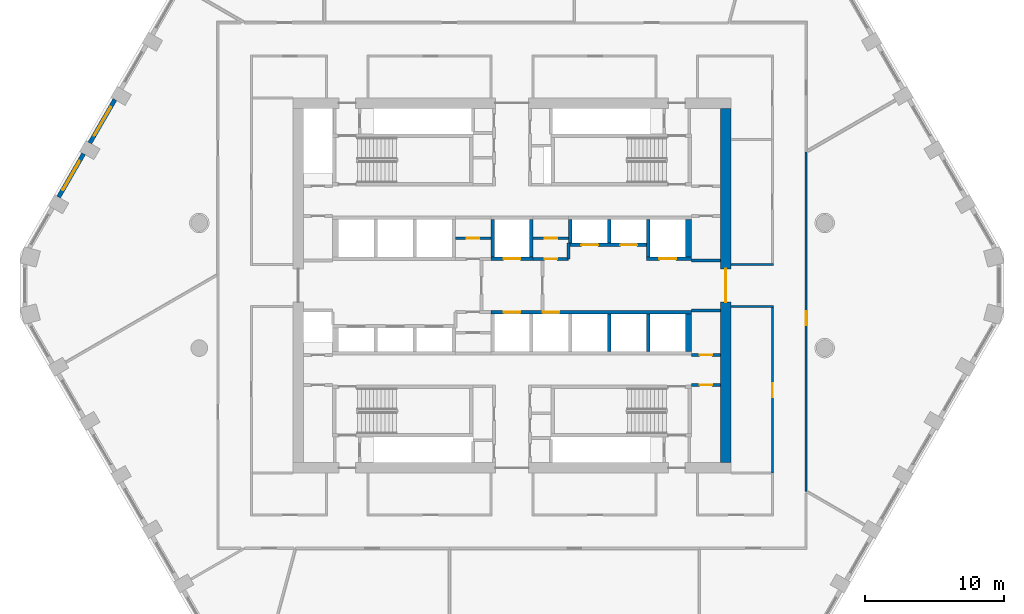
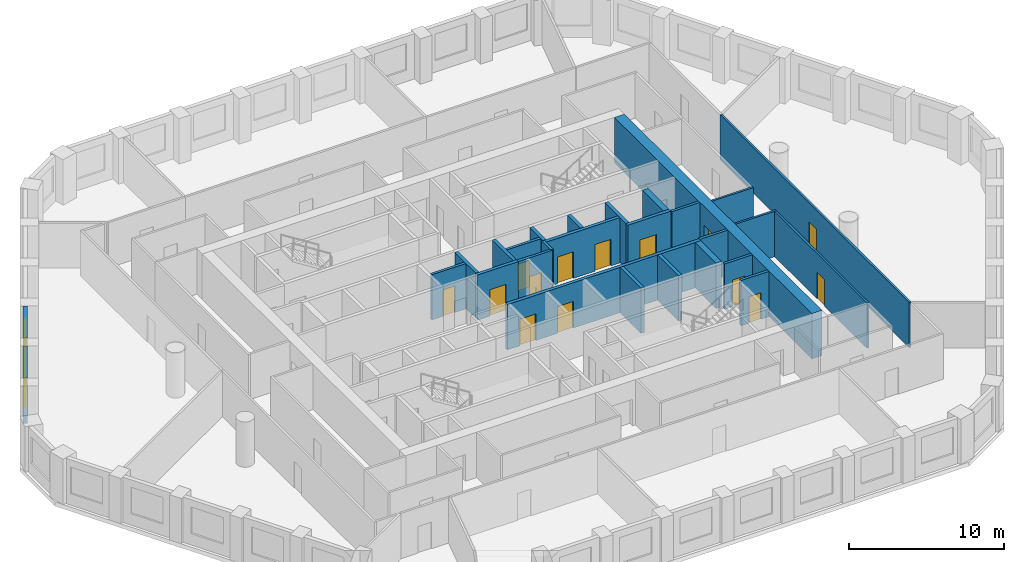
# One storey, part 5 of 14: 28 walls, 14 doors, 2 windows, 16 openings.
"""IFC4 building model written with IfcOpenShell, lengths in metres."""

from ifc_helpers import new_model, si_unit, direction, frame, frame_2d, origin, place, context, subcontext, project, spatial, polyline, rectangle, outline, extrude, material, layer, layer_set, type_object, element, fill, save


model = new_model("IFC4")

# Units and contexts
model_context = context("Model", 3, precision=1e-05, world=origin(), true_north=direction((0.0, 1.0)))
body_context = subcontext(model_context, "Body", "Model", "MODEL_VIEW")
ifc_project = project(units=[si_unit("LENGTHUNIT", "METRE"), si_unit("AREAUNIT", "SQUARE_METRE"), si_unit("VOLUMEUNIT", "CUBIC_METRE"), si_unit("PLANEANGLEUNIT", "RADIAN"), si_unit("MASSUNIT", "GRAM", prefix="KILO")], contexts=[model_context])

# Site, building, storey
site_placement = place(None, origin())
site = spatial("IfcSite", under=ifc_project, at=site_placement, CompositionType="ELEMENT")
building_placement = place(site_placement, origin())
building = spatial("IfcBuilding", under=site, at=building_placement, Name="Dhurran Vertical Campus", CompositionType="ELEMENT")
storey_placement = place(building_placement, frame((0.0, 0.0, 140.39990234375)))
storey = spatial("IfcBuildingStorey", under=building, at=storey_placement, Name="L34", CompositionType="ELEMENT", Elevation=140.39990234375)

# Wall, opening, window
ifc_material_1 = material(Name="Precast concrete C50/60", Category="concrete")
ifc_layer_1 = layer(ifc_material_1, 0.300048828125)
ifc_layer_set_1 = layer_set([ifc_layer_1], Name="Precast concrete C50/60")
wall_type_1 = type_object("IfcWallType", Name="Precast spandrel wall 300", PredefinedType="SOLIDWALL", material=ifc_layer_set_1)
wall_1_placement = place(storey_placement, frame((-28.5693359375, 13.376220703125, 0.0), z_axis=(0.0, 0.0, 1.0), x_axis=(-0.500027802648, -0.866009351323, 0.0)))
wall_1 = element("IfcWall", 1, at=wall_1_placement, inside=storey, type_object=wall_type_1, Name="EW1 L34.35", PredefinedType="SOLIDWALL", context=body_context, shape_type="SweptSolid", body=[
    extrude(rectangle(XDim=3.598876953125, YDim=0.300048828125, at=frame_2d((1.79931640625, 0.0))), origin(), (0.0, 0.0, 1.0), 3.5751953125),
])
opening_1_placement = place(wall_1_placement, frame((0.599609375, 0.0, 0.89990234375)))
opening_1 = element("IfcOpeningElement", 2, at=opening_1_placement, cuts=wall_1, Name="Opening WT1", PredefinedType="OPENING", context=body_context, shape_type="SweptSolid", body=[
    extrude(rectangle(XDim=2.39990234375, YDim=2.10009765625, at=frame_2d((1.199951171875, 1.050048828125))), frame((0.0, 0.159912109375, 0.0), z_axis=(0.0, -1.0, 0.0), x_axis=(1.0, 0.0, 0.0)), (0.0, 0.0, 1.0), 0.320068359375),
])
ifc_material_2 = material(Name="Aluminium frame with solar-control glass", Category="aluminium")
window_type = type_object("IfcWindowType", Name="Punched window 2400 x 2100", PartitioningType="SINGLE_PANEL", PredefinedType="WINDOW", material=ifc_material_2)
window_1_placement = place(opening_1_placement, origin())
window_1 = element("IfcWindow", 3, at=window_1_placement, inside=storey, type_object=window_type, Name="WT1 L34.35", OverallHeight=2.10009765625, OverallWidth=2.39990234375, PartitioningType="SINGLE_PANEL", PredefinedType="WINDOW", context=body_context, shape_type="SweptSolid", body=[
    extrude(rectangle(XDim=2.39990234375, YDim=2.10009765625, at=frame_2d((1.199951171875, 1.050048828125))), frame((0.0, 0.030029296875, 0.0), z_axis=(0.0, -1.0, 0.0), x_axis=(1.0, 0.0, 0.0)), (0.0, 0.0, 1.0), 0.06005859375),
])
fill(opening_1, window_1)

wall_2_placement = place(storey_placement, frame((-30.8193359375, 9.47900390625, 0.0), z_axis=(0.0, 0.0, 1.0), x_axis=(-0.500027802648, -0.866009351323, 0.0)))
wall_2 = element("IfcWall", 4, at=wall_2_placement, inside=storey, type_object=wall_type_1, Name="EW1 L34.36", PredefinedType="SOLIDWALL", context=body_context, shape_type="SweptSolid", body=[
    extrude(rectangle(XDim=3.598876953125, YDim=0.300048828125, at=frame_2d((1.79931640625, 0.0))), origin(), (0.0, 0.0, 1.0), 3.5751953125),
])
opening_2_placement = place(wall_2_placement, frame((0.599609375, 0.0, 0.89990234375)))
opening_2 = element("IfcOpeningElement", 5, at=opening_2_placement, cuts=wall_2, Name="Opening WT1", PredefinedType="OPENING", context=body_context, shape_type="SweptSolid", body=[
    extrude(rectangle(XDim=2.39990234375, YDim=2.10009765625, at=frame_2d((1.199951171875, 1.050048828125))), frame((0.0, 0.159912109375, 0.0), z_axis=(0.0, -1.0, 0.0), x_axis=(1.0, 0.0, 0.0)), (0.0, 0.0, 1.0), 0.320068359375),
])
window_2_placement = place(opening_2_placement, origin())
window_2 = element("IfcWindow", 6, at=window_2_placement, inside=storey, type_object=window_type, Name="WT1 L34.36", OverallHeight=2.10009765625, OverallWidth=2.39990234375, PartitioningType="SINGLE_PANEL", PredefinedType="WINDOW", context=body_context, shape_type="SweptSolid", body=[
    extrude(rectangle(XDim=2.39990234375, YDim=2.10009765625, at=frame_2d((1.199951171875, 1.050048828125))), frame((0.0, 0.030029296875, 0.0), z_axis=(0.0, -1.0, 0.0), x_axis=(1.0, 0.0, 0.0)), (0.0, 0.0, 1.0), 0.06005859375),
])
fill(opening_2, window_2)

# Wall, opening, door
ifc_material_3 = material(Name="Concrete C60/75", Category="concrete")
ifc_layer_2 = layer(ifc_material_3, 0.75)
ifc_layer_set_2 = layer_set([ifc_layer_2], Name="Concrete C60/75")
wall_type_2 = type_object("IfcWallType", Name="co-CORE-WALL-C1-750", PredefinedType="SHEAR", material=ifc_layer_set_2)
wall_3_placement = place(storey_placement, frame((15.375, -12.75, 0.0), z_axis=(0.0, 0.0, 1.0), x_axis=(0.0, 1.0, 0.0)))
wall_3 = element("IfcWall", 7, at=wall_3_placement, inside=storey, type_object=wall_type_2, Name="Core wall E L34", PredefinedType="SHEAR", context=body_context, shape_type="SweptSolid", body=[
    extrude(rectangle(XDim=25.5, YDim=0.75, at=frame_2d((12.75, 0.0))), origin(), (0.0, 0.0, 1.0), 3.5751953125),
])
opening_3_placement = place(wall_3_placement, frame((11.550048828125, 0.0, 0.0)))
opening_3 = element("IfcOpeningElement", 8, at=opening_3_placement, cuts=wall_3, Name="Opening CL2", PredefinedType="OPENING", context=body_context, shape_type="SweptSolid", body=[
    extrude(rectangle(XDim=2.39990234375, YDim=2.10009765625, at=frame_2d((1.199951171875, 1.050048828125))), frame((0.0, 0.385009765625, 0.0), z_axis=(0.0, -1.0, 0.0), x_axis=(1.0, 0.0, 0.0)), (0.0, 0.0, 1.0), 0.77001953125),
])
ifc_material_4 = material(Name="Fire-rated glazed door set")
door_type_1 = type_object("IfcDoorType", Name="co-D-LOBBY 2400x2100", OperationType="DOUBLE_DOOR_DOUBLE_SWING", PredefinedType="DOOR", material=ifc_material_4)
door_1_placement = place(opening_3_placement, origin())
door_1 = element("IfcDoor", 9, at=door_1_placement, inside=storey, type_object=door_type_1, Name="Lift lobby door E L34", OperationType="DOUBLE_DOOR_DOUBLE_SWING", OverallHeight=2.10009765625, OverallWidth=2.39990234375, PredefinedType="DOOR", context=body_context, shape_type="SweptSolid", body=[
    extrude(rectangle(XDim=2.39990234375, YDim=2.10009765625, at=frame_2d((1.199951171875, 1.050048828125))), frame((0.0, 0.02490234375, 0.0), z_axis=(0.0, -1.0, 0.0), x_axis=(1.0, 0.0, 0.0)), (0.0, 0.0, 1.0), 0.050048828125),
])
fill(opening_3, door_1)

# Wall
ifc_material_5 = material(Name="Fire-rated masonry blockwork", Category="masonry")
ifc_layer_3 = layer(ifc_material_5, 0.199951171875)
ifc_layer_set_3 = layer_set([ifc_layer_3], Name="Fire-rated masonry blockwork")
wall_type_3 = type_object("IfcWallType", Name="co-FIRE-PARTITION-200", PredefinedType="PARTITIONING", material=ifc_layer_set_3)
wall_4_placement = place(storey_placement, frame((12.89990234375, 1.800048828125, 0.0), z_axis=(0.0, 0.0, 1.0), x_axis=(1.0, 0.0, 0.0)))
element("IfcWall", 10, at=wall_4_placement, inside=storey, type_object=wall_type_3, Name="Core partition es-NE-l L34", PredefinedType="PARTITIONING", context=body_context, shape_type="SweptSolid", body=[
    extrude(rectangle(XDim=2.10009765625, YDim=0.199951171875, at=frame_2d((1.050048828125, 0.0))), origin(), (0.0, 0.0, 1.0), 3.5751953125),
])

# Wall, opening, door
wall_5_placement = place(storey_placement, frame((12.89990234375, -7.14990234375, 0.0), z_axis=(0.0, 0.0, 1.0), x_axis=(1.0, 0.0, 0.0)))
wall_5 = element("IfcWall", 11, at=wall_5_placement, inside=storey, type_object=wall_type_3, Name="Core partition en-SE-w L34", PredefinedType="PARTITIONING", context=body_context, shape_type="SweptSolid", body=[
    extrude(rectangle(XDim=2.10009765625, YDim=0.199951171875, at=frame_2d((1.050048828125, 0.0))), origin(), (0.0, 0.0, 1.0), 3.5751953125),
])
opening_4_placement = place(wall_5_placement, frame((0.60009765625, 0.0, 0.0)))
opening_4 = element("IfcOpeningElement", 12, at=opening_4_placement, cuts=wall_5, Name="Opening T09-C21", PredefinedType="OPENING", context=body_context, shape_type="SweptSolid", body=[
    extrude(rectangle(XDim=0.89990234375, YDim=2.10009765625, at=frame_2d((0.449951171875, 1.050048828125))), frame((0.0, 0.10986328125, 0.0), z_axis=(0.0, -1.0, 0.0), x_axis=(1.0, 0.0, 0.0)), (0.0, 0.0, 1.0), 0.219970703125),
])
ifc_material_6 = material(Name="Fire-rated timber door set", Category="wood")
door_type_2 = type_object("IfcDoorType", Name="co-D-ROOM 900x2100", OperationType="SINGLE_SWING_LEFT", PredefinedType="DOOR", material=ifc_material_6)
door_2_placement = place(opening_4_placement, origin())
door_2 = element("IfcDoor", 13, at=door_2_placement, inside=storey, type_object=door_type_2, Name="Plant room door L34", OperationType="SINGLE_SWING_LEFT", OverallHeight=2.10009765625, OverallWidth=0.89990234375, PredefinedType="DOOR", context=body_context, shape_type="SweptSolid", body=[
    extrude(rectangle(XDim=0.89990234375, YDim=2.10009765625, at=frame_2d((0.449951171875, 1.050048828125))), frame((0.0, 0.02490234375, 0.0), z_axis=(0.0, -1.0, 0.0), x_axis=(1.0, 0.0, 0.0)), (0.0, 0.0, 1.0), 0.050048828125),
])
fill(opening_4, door_2)

wall_6_placement = place(storey_placement, frame((12.89990234375, -5.0, 0.0), z_axis=(0.0, 0.0, 1.0), x_axis=(1.0, 0.0, 0.0)))
wall_6 = element("IfcWall", 14, at=wall_6_placement, inside=storey, type_object=wall_type_3, Name="Core partition es-SE-w L34", PredefinedType="PARTITIONING", context=body_context, shape_type="SweptSolid", body=[
    extrude(rectangle(XDim=2.10009765625, YDim=0.199951171875, at=frame_2d((1.050048828125, 0.0))), origin(), (0.0, 0.0, 1.0), 3.5751953125),
])
opening_5_placement = place(wall_6_placement, frame((0.60009765625, 0.0, 0.0)))
opening_5 = element("IfcOpeningElement", 15, at=opening_5_placement, cuts=wall_6, Name="Opening T09-C22", PredefinedType="OPENING", context=body_context, shape_type="SweptSolid", body=[
    extrude(rectangle(XDim=0.89990234375, YDim=2.10009765625, at=frame_2d((0.449951171875, 1.050048828125))), frame((0.0, 0.10986328125, 0.0), z_axis=(0.0, -1.0, 0.0), x_axis=(1.0, 0.0, 0.0)), (0.0, 0.0, 1.0), 0.219970703125),
])
door_3_placement = place(opening_5_placement, origin())
door_3 = element("IfcDoor", 16, at=door_3_placement, inside=storey, type_object=door_type_2, Name="Pantry door L34", OperationType="SINGLE_SWING_LEFT", OverallHeight=2.10009765625, OverallWidth=0.89990234375, PredefinedType="DOOR", context=body_context, shape_type="SweptSolid", body=[
    extrude(rectangle(XDim=0.89990234375, YDim=2.10009765625, at=frame_2d((0.449951171875, 1.050048828125))), frame((0.0, 0.02490234375, 0.0), z_axis=(0.0, -1.0, 0.0), x_axis=(1.0, 0.0, 0.0)), (0.0, 0.0, 1.0), 0.050048828125),
])
fill(opening_5, door_3)

# Wall
wall_7_placement = place(storey_placement, frame((12.89990234375, -1.800048828125, 0.0), z_axis=(0.0, 0.0, 1.0), x_axis=(1.0, 0.0, 0.0)))
element("IfcWall", 17, at=wall_7_placement, inside=storey, type_object=wall_type_3, Name="Core partition es-SE-l L34", PredefinedType="PARTITIONING", context=body_context, shape_type="SweptSolid", body=[
    extrude(rectangle(XDim=2.10009765625, YDim=0.199951171875, at=frame_2d((1.050048828125, 0.0))), origin(), (0.0, 0.0, 1.0), 3.5751953125),
])

# Wall, opening, door
wall_8_placement = place(storey_placement, frame((-4.074951171875, 3.39990234375, 0.0), z_axis=(0.0, 0.0, 1.0), x_axis=(1.0, 0.0, 0.0)))
wall_8 = element("IfcWall", 18, at=wall_8_placement, inside=storey, type_object=wall_type_3, Name="Core partition fr-N0-c L34", PredefinedType="PARTITIONING", context=body_context, shape_type="SweptSolid", body=[
    extrude(rectangle(XDim=2.550048828125, YDim=0.199951171875, at=frame_2d((1.27490234375, 0.0))), origin(), (0.0, 0.0, 1.0), 3.5751953125),
])
opening_6_placement = place(wall_8_placement, frame((0.824951171875, 0.0, 0.0)))
opening_6 = element("IfcOpeningElement", 19, at=opening_6_placement, cuts=wall_8, Name="Opening T09-C23", PredefinedType="OPENING", context=body_context, shape_type="SweptSolid", body=[
    extrude(rectangle(XDim=0.89990234375, YDim=2.10009765625, at=frame_2d((0.449951171875, 1.050048828125))), frame((0.0, 0.10986328125, 0.0), z_axis=(0.0, -1.0, 0.0), x_axis=(1.0, 0.0, 0.0)), (0.0, 0.0, 1.0), 0.219970703125),
])
door_4_placement = place(opening_6_placement, origin())
door_4 = element("IfcDoor", 20, at=door_4_placement, inside=storey, type_object=door_type_2, Name="Housekeeping store door L34", OperationType="SINGLE_SWING_LEFT", OverallHeight=2.10009765625, OverallWidth=0.89990234375, PredefinedType="DOOR", context=body_context, shape_type="SweptSolid", body=[
    extrude(rectangle(XDim=0.89990234375, YDim=2.10009765625, at=frame_2d((0.449951171875, 1.050048828125))), frame((0.0, 0.02490234375, 0.0), z_axis=(0.0, -1.0, 0.0), x_axis=(1.0, 0.0, 0.0)), (0.0, 0.0, 1.0), 0.050048828125),
])
fill(opening_6, door_4)

wall_9_placement = place(storey_placement, frame((1.52490234375, 3.39990234375, 0.0), z_axis=(0.0, 0.0, 1.0), x_axis=(1.0, 0.0, 0.0)))
wall_9 = element("IfcWall", 21, at=wall_9_placement, inside=storey, type_object=wall_type_3, Name="Core partition fr-N1-c L34", PredefinedType="PARTITIONING", context=body_context, shape_type="SweptSolid", body=[
    extrude(rectangle(XDim=2.550048828125, YDim=0.199951171875, at=frame_2d((1.27490234375, 0.0))), origin(), (0.0, 0.0, 1.0), 3.5751953125),
])
opening_7_placement = place(wall_9_placement, frame((0.824951171875, 0.0, 0.0)))
opening_7 = element("IfcOpeningElement", 22, at=opening_7_placement, cuts=wall_9, Name="Opening T09-C25", PredefinedType="OPENING", context=body_context, shape_type="SweptSolid", body=[
    extrude(rectangle(XDim=0.89990234375, YDim=2.10009765625, at=frame_2d((0.449951171875, 1.050048828125))), frame((0.0, 0.10986328125, 0.0), z_axis=(0.0, -1.0, 0.0), x_axis=(1.0, 0.0, 0.0)), (0.0, 0.0, 1.0), 0.219970703125),
])
door_5_placement = place(opening_7_placement, origin())
door_5 = element("IfcDoor", 23, at=door_5_placement, inside=storey, type_object=door_type_2, Name="Pantry door L34", OperationType="SINGLE_SWING_LEFT", OverallHeight=2.10009765625, OverallWidth=0.89990234375, PredefinedType="DOOR", context=body_context, shape_type="SweptSolid", body=[
    extrude(rectangle(XDim=0.89990234375, YDim=2.10009765625, at=frame_2d((0.449951171875, 1.050048828125))), frame((0.0, 0.02490234375, 0.0), z_axis=(0.0, -1.0, 0.0), x_axis=(1.0, 0.0, 0.0)), (0.0, 0.0, 1.0), 0.050048828125),
])
fill(opening_7, door_5)

wall_10_placement = place(storey_placement, frame((1.52490234375, 1.89990234375, 0.0), z_axis=(0.0, 0.0, 1.0), x_axis=(1.0, 0.0, 0.0)))
wall_10 = element("IfcWall", 24, at=wall_10_placement, inside=storey, type_object=wall_type_3, Name="Core partition fr-N1-f L34", PredefinedType="PARTITIONING", context=body_context, shape_type="SweptSolid", body=[
    extrude(rectangle(XDim=2.550048828125, YDim=0.199951171875, at=frame_2d((1.27490234375, 0.0))), origin(), (0.0, 0.0, 1.0), 3.5751953125),
])
opening_8_placement = place(wall_10_placement, frame((0.824951171875, 0.0, 0.0)))
opening_8 = element("IfcOpeningElement", 25, at=opening_8_placement, cuts=wall_10, Name="Opening T09-C26", PredefinedType="OPENING", context=body_context, shape_type="SweptSolid", body=[
    extrude(rectangle(XDim=0.89990234375, YDim=2.10009765625, at=frame_2d((0.449951171875, 1.050048828125))), frame((0.0, 0.10986328125, 0.0), z_axis=(0.0, -1.0, 0.0), x_axis=(1.0, 0.0, 0.0)), (0.0, 0.0, 1.0), 0.219970703125),
])
door_6_placement = place(opening_8_placement, origin())
door_6 = element("IfcDoor", 26, at=door_6_placement, inside=storey, type_object=door_type_2, Name="Communications room door L34", OperationType="SINGLE_SWING_LEFT", OverallHeight=2.10009765625, OverallWidth=0.89990234375, PredefinedType="DOOR", context=body_context, shape_type="SweptSolid", body=[
    extrude(rectangle(XDim=0.89990234375, YDim=2.10009765625, at=frame_2d((0.449951171875, 1.050048828125))), frame((0.0, 0.02490234375, 0.0), z_axis=(0.0, -1.0, 0.0), x_axis=(1.0, 0.0, 0.0)), (0.0, 0.0, 1.0), 0.050048828125),
])
fill(opening_8, door_6)

# Wall
wall_11_placement = place(storey_placement, frame((4.074951171875, 1.89990234375, 0.0), z_axis=(0.0, 0.0, 1.0), x_axis=(0.0, 1.0, 0.0)))
element("IfcWall", 27, at=wall_11_placement, inside=storey, type_object=wall_type_3, Name="Core partition fr-N1-n1 L34", PredefinedType="PARTITIONING", context=body_context, shape_type="SweptSolid", body=[
    extrude(rectangle(XDim=1.150146484375, YDim=0.199951171875, at=frame_2d((0.5751953125, 0.0))), origin(), (0.0, 0.0, 1.0), 3.5751953125),
])

# Wall, opening, door
ifc_material_7 = material(Name="Concrete C50/60", Category="concrete")
ifc_layer_4 = layer(ifc_material_7, 0.25)
ifc_layer_set_4 = layer_set([ifc_layer_4], Name="Concrete C50/60")
wall_type_4 = type_object("IfcWallType", Name="co-SHAFT-FRONT-250", PredefinedType="SHEAR", material=ifc_layer_set_4)
wall_12_placement = place(storey_placement, frame((-1.52490234375, 1.925048828125, 0.0), z_axis=(0.0, 0.0, 1.0), x_axis=(1.0, 0.0, 0.0)))
wall_12 = element("IfcWall", 28, at=wall_12_placement, inside=storey, type_object=wall_type_4, Name="Lift landing wall N L34", PredefinedType="SHEAR", context=body_context, shape_type="SweptSolid", body=[
    extrude(rectangle(XDim=3.0498046875, YDim=0.25, at=frame_2d((1.52490234375, 0.0))), origin(), (0.0, 0.0, 1.0), 3.5751953125),
])
opening_9_placement = place(wall_12_placement, frame((0.925048828125, 0.0, 0.0)))
opening_9 = element("IfcOpeningElement", 29, at=opening_9_placement, cuts=wall_12, Name="Opening LD", PredefinedType="OPENING", context=body_context, shape_type="SweptSolid", body=[
    extrude(rectangle(XDim=1.199951171875, YDim=2.10009765625, at=frame_2d((0.60009765625, 1.050048828125))), frame((0.0, 0.135009765625, 0.0), z_axis=(0.0, -1.0, 0.0), x_axis=(1.0, 0.0, 0.0)), (0.0, 0.0, 1.0), 0.27001953125),
])
ifc_material_8 = material(Name="Stainless steel landing door", Category="steel")
door_type_3 = type_object("IfcDoorType", Name="co-D-LANDING 1200x2100", OperationType="DOUBLE_DOOR_SLIDING", PredefinedType="DOOR", material=ifc_material_8)
door_7_placement = place(opening_9_placement, origin())
door_7 = element("IfcDoor", 30, at=door_7_placement, inside=storey, type_object=door_type_3, Name="Landing door FF1 L34", OperationType="DOUBLE_DOOR_SLIDING", OverallHeight=2.10009765625, OverallWidth=1.199951171875, PredefinedType="DOOR", context=body_context, shape_type="SweptSolid", body=[
    extrude(rectangle(XDim=1.199951171875, YDim=2.10009765625, at=frame_2d((0.60009765625, 1.050048828125))), frame((0.0, 0.02490234375, 0.0), z_axis=(0.0, -1.0, 0.0), x_axis=(1.0, 0.0, 0.0)), (0.0, 0.0, 1.0), 0.050048828125),
])
fill(opening_9, door_7)

# Wall, openings, doors
wall_13_placement = place(storey_placement, frame((4.074951171875, 2.925048828125, 0.0), z_axis=(0.0, 0.0, 1.0), x_axis=(1.0, 0.0, 0.0)))
wall_13 = element("IfcWall", 31, at=wall_13_placement, inside=storey, type_object=wall_type_4, Name="Lift landing wall N L34", PredefinedType="SHEAR", context=body_context, shape_type="SweptSolid", body=[
    extrude(rectangle(XDim=5.85009765625, YDim=0.25, at=frame_2d((2.925048828125, 0.0))), origin(), (0.0, 0.0, 1.0), 3.5751953125),
])
opening_10_placement = place(wall_13_placement, frame((0.925048828125, 0.0, 0.0)))
opening_10 = element("IfcOpeningElement", 32, at=opening_10_placement, cuts=wall_13, Name="Opening LD", PredefinedType="OPENING", context=body_context, shape_type="SweptSolid", body=[
    extrude(rectangle(XDim=1.199951171875, YDim=2.10009765625, at=frame_2d((0.60009765625, 1.050048828125))), frame((0.0, 0.135009765625, 0.0), z_axis=(0.0, -1.0, 0.0), x_axis=(1.0, 0.0, 0.0)), (0.0, 0.0, 1.0), 0.27001953125),
])
opening_11_placement = place(wall_13_placement, frame((3.72509765625, 0.0, 0.0)))
opening_11 = element("IfcOpeningElement", 33, at=opening_11_placement, cuts=wall_13, Name="Opening LD", PredefinedType="OPENING", context=body_context, shape_type="SweptSolid", body=[
    extrude(rectangle(XDim=1.199951171875, YDim=2.10009765625, at=frame_2d((0.60009765625, 1.050048828125))), frame((0.0, 0.135009765625, 0.0), z_axis=(0.0, -1.0, 0.0), x_axis=(1.0, 0.0, 0.0)), (0.0, 0.0, 1.0), 0.27001953125),
])
door_8_placement = place(opening_10_placement, origin())
door_8 = element("IfcDoor", 34, at=door_8_placement, inside=storey, type_object=door_type_3, Name="Landing door MR1 L34", OperationType="DOUBLE_DOOR_SLIDING", OverallHeight=2.10009765625, OverallWidth=1.199951171875, PredefinedType="DOOR", context=body_context, shape_type="SweptSolid", body=[
    extrude(rectangle(XDim=1.199951171875, YDim=2.10009765625, at=frame_2d((0.60009765625, 1.050048828125))), frame((0.0, 0.02490234375, 0.0), z_axis=(0.0, -1.0, 0.0), x_axis=(1.0, 0.0, 0.0)), (0.0, 0.0, 1.0), 0.050048828125),
])
fill(opening_10, door_8)
door_9_placement = place(opening_11_placement, origin())
door_9 = element("IfcDoor", 35, at=door_9_placement, inside=storey, type_object=door_type_3, Name="Landing door MR2 L34", OperationType="DOUBLE_DOOR_SLIDING", OverallHeight=2.10009765625, OverallWidth=1.199951171875, PredefinedType="DOOR", context=body_context, shape_type="SweptSolid", body=[
    extrude(rectangle(XDim=1.199951171875, YDim=2.10009765625, at=frame_2d((0.60009765625, 1.050048828125))), frame((0.0, 0.02490234375, 0.0), z_axis=(0.0, -1.0, 0.0), x_axis=(1.0, 0.0, 0.0)), (0.0, 0.0, 1.0), 0.050048828125),
])
fill(opening_11, door_9)

# Wall, opening, door
wall_14_placement = place(storey_placement, frame((9.675048828125, 1.925048828125, 0.0), z_axis=(0.0, 0.0, 1.0), x_axis=(1.0, 0.0, 0.0)))
wall_14 = element("IfcWall", 36, at=wall_14_placement, inside=storey, type_object=wall_type_4, Name="Lift landing wall N L34", PredefinedType="SHEAR", context=body_context, shape_type="SweptSolid", body=[
    extrude(rectangle(XDim=3.224853515625, YDim=0.25, at=frame_2d((1.6123046875, 0.0))), origin(), (0.0, 0.0, 1.0), 3.5751953125),
])
opening_12_placement = place(wall_14_placement, frame((0.925048828125, 0.0, 0.0)))
opening_12 = element("IfcOpeningElement", 37, at=opening_12_placement, cuts=wall_14, Name="Opening LD", PredefinedType="OPENING", context=body_context, shape_type="SweptSolid", body=[
    extrude(rectangle(XDim=1.199951171875, YDim=2.10009765625, at=frame_2d((0.60009765625, 1.050048828125))), frame((0.0, 0.135009765625, 0.0), z_axis=(0.0, -1.0, 0.0), x_axis=(1.0, 0.0, 0.0)), (0.0, 0.0, 1.0), 0.27001953125),
])
door_10_placement = place(opening_12_placement, origin())
door_10 = element("IfcDoor", 38, at=door_10_placement, inside=storey, type_object=door_type_3, Name="Landing door SV2 L34", OperationType="DOUBLE_DOOR_SLIDING", OverallHeight=2.10009765625, OverallWidth=1.199951171875, PredefinedType="DOOR", context=body_context, shape_type="SweptSolid", body=[
    extrude(rectangle(XDim=1.199951171875, YDim=2.10009765625, at=frame_2d((0.60009765625, 1.050048828125))), frame((0.0, 0.02490234375, 0.0), z_axis=(0.0, -1.0, 0.0), x_axis=(1.0, 0.0, 0.0)), (0.0, 0.0, 1.0), 0.050048828125),
])
fill(opening_12, door_10)

# Wall, openings, doors
wall_15_placement = place(storey_placement, frame((-1.52490234375, -1.925048828125, 0.0), z_axis=(0.0, 0.0, 1.0), x_axis=(1.0, 0.0, 0.0)))
wall_15 = element("IfcWall", 39, at=wall_15_placement, inside=storey, type_object=wall_type_4, Name="Lift landing wall S L34", PredefinedType="SHEAR", context=body_context, shape_type="SweptSolid", body=[
    extrude(rectangle(XDim=14.4248046875, YDim=0.25, at=frame_2d((7.21240234375, 0.0))), origin(), (0.0, 0.0, 1.0), 3.5751953125),
])
opening_13_placement = place(wall_15_placement, frame((0.925048828125, 0.0, 0.0)))
opening_13 = element("IfcOpeningElement", 40, at=opening_13_placement, cuts=wall_15, Name="Opening LD", PredefinedType="OPENING", context=body_context, shape_type="SweptSolid", body=[
    extrude(rectangle(XDim=1.199951171875, YDim=2.10009765625, at=frame_2d((0.60009765625, 1.050048828125))), frame((0.0, 0.135009765625, 0.0), z_axis=(0.0, -1.0, 0.0), x_axis=(1.0, 0.0, 0.0)), (0.0, 0.0, 1.0), 0.27001953125),
])
opening_14_placement = place(wall_15_placement, frame((3.72509765625, 0.0, 0.0)))
opening_14 = element("IfcOpeningElement", 41, at=opening_14_placement, cuts=wall_15, Name="Opening LD", PredefinedType="OPENING", context=body_context, shape_type="SweptSolid", body=[
    extrude(rectangle(XDim=1.199951171875, YDim=2.10009765625, at=frame_2d((0.60009765625, 1.050048828125))), frame((0.0, 0.135009765625, 0.0), z_axis=(0.0, -1.0, 0.0), x_axis=(1.0, 0.0, 0.0)), (0.0, 0.0, 1.0), 0.27001953125),
])
door_11_placement = place(opening_13_placement, origin())
door_11 = element("IfcDoor", 42, at=door_11_placement, inside=storey, type_object=door_type_3, Name="Landing door FF2 L34", OperationType="DOUBLE_DOOR_SLIDING", OverallHeight=2.10009765625, OverallWidth=1.199951171875, PredefinedType="DOOR", context=body_context, shape_type="SweptSolid", body=[
    extrude(rectangle(XDim=1.199951171875, YDim=2.10009765625, at=frame_2d((0.60009765625, 1.050048828125))), frame((0.0, 0.02490234375, 0.0), z_axis=(0.0, -1.0, 0.0), x_axis=(1.0, 0.0, 0.0)), (0.0, 0.0, 1.0), 0.050048828125),
])
fill(opening_13, door_11)
door_12_placement = place(opening_14_placement, origin())
door_12 = element("IfcDoor", 43, at=door_12_placement, inside=storey, type_object=door_type_3, Name="Landing door SV1 L34", OperationType="DOUBLE_DOOR_SLIDING", OverallHeight=2.10009765625, OverallWidth=1.199951171875, PredefinedType="DOOR", context=body_context, shape_type="SweptSolid", body=[
    extrude(rectangle(XDim=1.199951171875, YDim=2.10009765625, at=frame_2d((0.60009765625, 1.050048828125))), frame((0.0, 0.02490234375, 0.0), z_axis=(0.0, -1.0, 0.0), x_axis=(1.0, 0.0, 0.0)), (0.0, 0.0, 1.0), 0.050048828125),
])
fill(opening_14, door_12)

# Walls
ifc_material_9 = material(Name="Concrete C50/60", Category="concrete")
ifc_layer_5 = layer(ifc_material_9, 0.25)
ifc_layer_set_5 = layer_set([ifc_layer_5], Name="Concrete C50/60")
wall_type_5 = type_object("IfcWallType", Name="co-SHAFT-MASS-250", PredefinedType="SHEAR", material=ifc_layer_set_5)
wall_16_placement = place(storey_placement, origin())
element("IfcWall", 44, at=wall_16_placement, inside=storey, type_object=wall_type_5, Name="Lift shaft wall N L34 8", PredefinedType="SHEAR", context=body_context, shape_type="SweptSolid", body=[
    extrude(outline(polyline([(-1.52490234375, 2.050048828125), (-1.27490234375, 2.050048828125), (-1.27490234375, 4.75), (-1.52490234375, 4.75), (-1.52490234375, 2.050048828125)])), origin(), (0.0, 0.0, 1.0), 3.5751953125),
])
wall_17_placement = place(storey_placement, origin())
element("IfcWall", 45, at=wall_17_placement, inside=storey, type_object=wall_type_5, Name="Lift shaft wall N L34 9", PredefinedType="SHEAR", context=body_context, shape_type="SweptSolid", body=[
    extrude(outline(polyline([(1.27490234375, 2.050048828125), (1.52490234375, 2.050048828125), (1.52490234375, 4.75), (1.27490234375, 4.75), (1.27490234375, 2.050048828125)])), origin(), (0.0, 0.0, 1.0), 3.5751953125),
])
wall_18_placement = place(storey_placement, origin())
element("IfcWall", 46, at=wall_18_placement, inside=storey, type_object=wall_type_5, Name="Lift shaft wall N L34 10", PredefinedType="SHEAR", context=body_context, shape_type="SweptSolid", body=[
    extrude(outline(polyline([(9.675048828125, 2.050048828125), (9.925048828125, 2.050048828125), (9.925048828125, 4.75), (9.675048828125, 4.75), (9.675048828125, 2.050048828125)])), origin(), (0.0, 0.0, 1.0), 3.5751953125),
])
wall_19_placement = place(storey_placement, origin())
element("IfcWall", 47, at=wall_19_placement, inside=storey, type_object=wall_type_5, Name="Lift shaft wall N L34 11", PredefinedType="SHEAR", context=body_context, shape_type="SweptSolid", body=[
    extrude(outline(polyline([(12.47509765625, 2.050048828125), (12.89990234375, 2.050048828125), (12.89990234375, 4.75), (12.47509765625, 4.75), (12.47509765625, 2.050048828125)])), origin(), (0.0, 0.0, 1.0), 3.5751953125),
])
wall_20_placement = place(storey_placement, origin())
element("IfcWall", 48, at=wall_20_placement, inside=storey, type_object=wall_type_5, Name="Lift shaft wall N L34 12", PredefinedType="SHEAR", context=body_context, shape_type="SweptSolid", body=[
    extrude(outline(polyline([(4.074951171875, 3.050048828125), (4.324951171875, 3.050048828125), (4.324951171875, 4.75), (4.074951171875, 4.75), (4.074951171875, 3.050048828125)])), origin(), (0.0, 0.0, 1.0), 3.5751953125),
])
wall_21_placement = place(storey_placement, origin())
element("IfcWall", 49, at=wall_21_placement, inside=storey, type_object=wall_type_5, Name="Lift shaft wall N L34 13", PredefinedType="SHEAR", context=body_context, shape_type="SweptSolid", body=[
    extrude(outline(polyline([(6.875, 3.050048828125), (7.125, 3.050048828125), (7.125, 4.75), (6.875, 4.75), (6.875, 3.050048828125)])), origin(), (0.0, 0.0, 1.0), 3.5751953125),
])
wall_22_placement = place(storey_placement, origin())
element("IfcWall", 50, at=wall_22_placement, inside=storey, type_object=wall_type_5, Name="Lift shaft wall S L34 10", PredefinedType="SHEAR", context=body_context, shape_type="SweptSolid", body=[
    extrude(outline(polyline([(6.875, -4.75), (7.125, -4.75), (7.125, -2.050048828125), (6.875, -2.050048828125), (6.875, -4.75)])), origin(), (0.0, 0.0, 1.0), 3.5751953125),
])
wall_23_placement = place(storey_placement, origin())
element("IfcWall", 51, at=wall_23_placement, inside=storey, type_object=wall_type_5, Name="Lift shaft wall S L34 11", PredefinedType="SHEAR", context=body_context, shape_type="SweptSolid", body=[
    extrude(outline(polyline([(9.675048828125, -4.75), (9.925048828125, -4.75), (9.925048828125, -2.050048828125), (9.675048828125, -2.050048828125), (9.675048828125, -4.75)])), origin(), (0.0, 0.0, 1.0), 3.5751953125),
])
wall_24_placement = place(storey_placement, origin())
element("IfcWall", 52, at=wall_24_placement, inside=storey, type_object=wall_type_5, Name="Lift shaft wall S L34 12", PredefinedType="SHEAR", context=body_context, shape_type="SweptSolid", body=[
    extrude(outline(polyline([(12.47509765625, -4.75), (12.89990234375, -4.75), (12.89990234375, -2.050048828125), (12.47509765625, -2.050048828125), (12.47509765625, -4.75)])), origin(), (0.0, 0.0, 1.0), 3.5751953125),
])
ifc_material_10 = material(Name="Gypsum board corridor wall on steel studs", Category="steel")
ifc_layer_6 = layer(ifc_material_10, 0.14990234375)
ifc_layer_set_6 = layer_set([ifc_layer_6], Name="Gypsum board corridor wall on steel studs")
wall_type_6 = type_object("IfcWallType", Name="fl-CW-150 corridor wall", PredefinedType="PARTITIONING", material=ifc_layer_set_6)
for number, where, z_axis, x_axis, name in (
    (53, (15.75, -1.5, 0.0), (0.0, 0.0, 1.0), (1.0, 0.0, 0.0), "Partition 34-51"),
    (54, (18.824951171875, 1.5, 0.0), (0.0, 0.0, 1.0), (-1.0, 0.0, 0.0), "Partition 34-52"),
):
    element("IfcWall", number, at=place(storey_placement, frame(where, z_axis=z_axis, x_axis=x_axis)), inside=storey, type_object=wall_type_6, Name=name, PredefinedType="PARTITIONING", context=body_context, shape_type="SweptSolid", body=[
        extrude(rectangle(XDim=3.074951171875, YDim=0.14990234375, at=frame_2d((1.53759765625, 0.0))), origin(), (0.0, 0.0, 1.0), 3.5751953125),
    ])

# Wall, opening, door
wall_25_placement = place(storey_placement, frame((18.75, -1.574951171875, 0.0), z_axis=(0.0, 0.0, 1.0), x_axis=(0.0, -1.0, 0.0)))
wall_25 = element("IfcWall", 55, at=wall_25_placement, inside=storey, type_object=wall_type_6, Name="Partition 34-55", PredefinedType="PARTITIONING", context=body_context, shape_type="SweptSolid", body=[
    extrude(rectangle(XDim=11.925048828125, YDim=0.14990234375, at=frame_2d((5.96240234375, 0.0))), origin(), (0.0, 0.0, 1.0), 3.5751953125),
])
opening_15_placement = place(wall_25_placement, frame((5.46240234375, 0.0, 0.0)))
opening_15 = element("IfcOpeningElement", 56, at=opening_15_placement, cuts=wall_25, Name="Opening T09.19", PredefinedType="OPENING", context=body_context, shape_type="SweptSolid", body=[
    extrude(rectangle(XDim=1.0, YDim=2.10009765625, at=frame_2d((0.5, 1.050048828125))), frame((0.0, 0.0849609375, 0.0), z_axis=(0.0, -1.0, 0.0), x_axis=(1.0, 0.0, 0.0)), (0.0, 0.0, 1.0), 0.169921875),
])
ifc_material_11 = material(Name="Solid-core timber door set, fire-rated", Category="wood")
door_type_4 = type_object("IfcDoorType", Name="fl-D-1000x2100", OperationType="SINGLE_SWING_LEFT", PredefinedType="DOOR", material=ifc_material_11)
door_13_placement = place(opening_15_placement, origin())
door_13 = element("IfcDoor", 57, at=door_13_placement, inside=storey, type_object=door_type_4, Name="Door 34.19", OperationType="SINGLE_SWING_RIGHT", OverallHeight=2.10009765625, OverallWidth=1.0, PredefinedType="DOOR", context=body_context, shape_type="SweptSolid", body=[
    extrude(rectangle(XDim=1.0, YDim=2.10009765625, at=frame_2d((0.5, 1.050048828125))), frame((0.0, 0.02490234375, 0.0), z_axis=(0.0, -1.0, 0.0), x_axis=(1.0, 0.0, 0.0)), (0.0, 0.0, 1.0), 0.050048828125),
])
fill(opening_15, door_13)

wall_26_placement = place(storey_placement, frame((21.14990234375, -14.80908203125, 0.0), z_axis=(0.0, 0.0, 1.0), x_axis=(0.0, 1.0, 0.0)))
wall_26 = element("IfcWall", 58, at=wall_26_placement, inside=storey, type_object=wall_type_6, Name="Partition 34-59", PredefinedType="PARTITIONING", context=body_context, shape_type="SweptSolid", body=[
    extrude(rectangle(XDim=24.422119140625, YDim=0.14990234375, at=frame_2d((12.2109375, 0.0))), origin(), (0.0, 0.0, 1.0), 3.5751953125),
])
opening_16_placement = place(wall_26_placement, frame((11.9609375, 0.0, 0.0)))
opening_16 = element("IfcOpeningElement", 59, at=opening_16_placement, cuts=wall_26, Name="Opening T09.23", PredefinedType="OPENING", context=body_context, shape_type="SweptSolid", body=[
    extrude(rectangle(XDim=1.0, YDim=2.10009765625, at=frame_2d((0.5, 1.050048828125))), frame((0.0, 0.0849609375, 0.0), z_axis=(0.0, -1.0, 0.0), x_axis=(1.0, 0.0, 0.0)), (0.0, 0.0, 1.0), 0.169921875),
])
door_14_placement = place(opening_16_placement, origin())
door_14 = element("IfcDoor", 60, at=door_14_placement, inside=storey, type_object=door_type_4, Name="Door 34.23", OperationType="SINGLE_SWING_LEFT", OverallHeight=2.10009765625, OverallWidth=1.0, PredefinedType="DOOR", context=body_context, shape_type="SweptSolid", body=[
    extrude(rectangle(XDim=1.0, YDim=2.10009765625, at=frame_2d((0.5, 1.050048828125))), frame((0.0, 0.02490234375, 0.0), z_axis=(0.0, -1.0, 0.0), x_axis=(1.0, 0.0, 0.0)), (0.0, 0.0, 1.0), 0.050048828125),
])
fill(opening_16, door_14)

save(model, "model.ifc")
